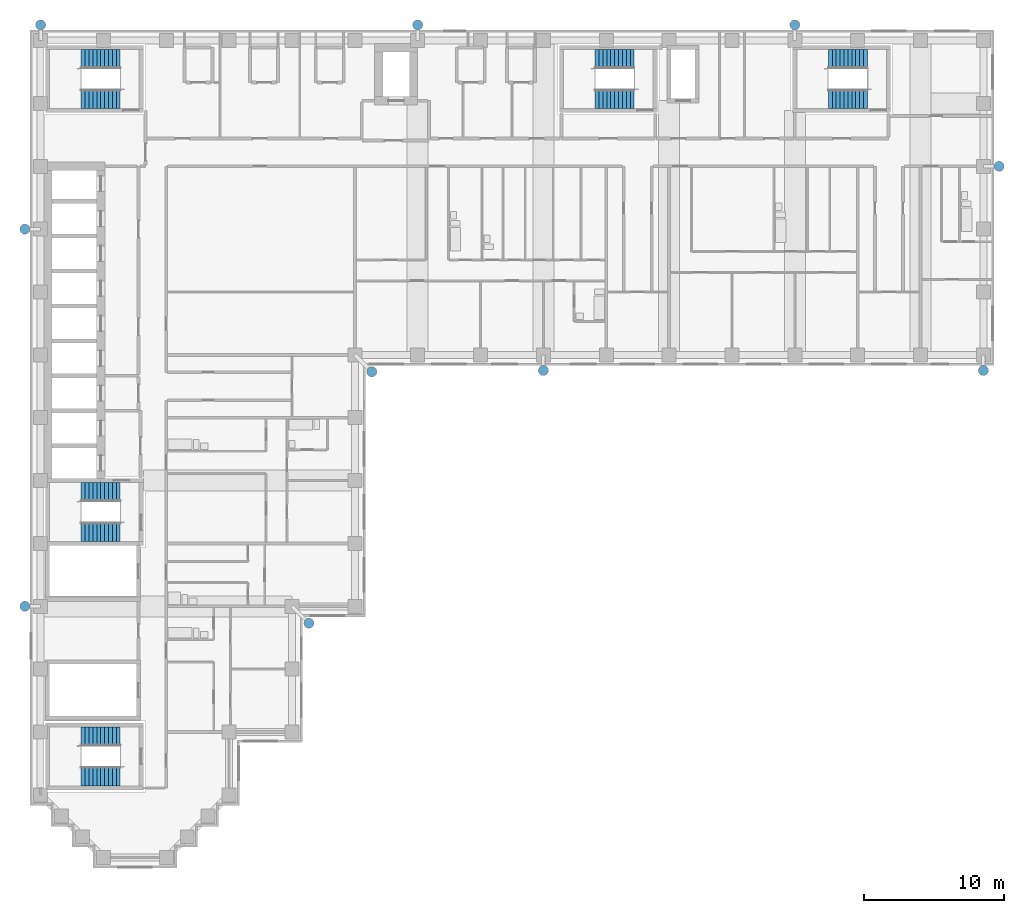
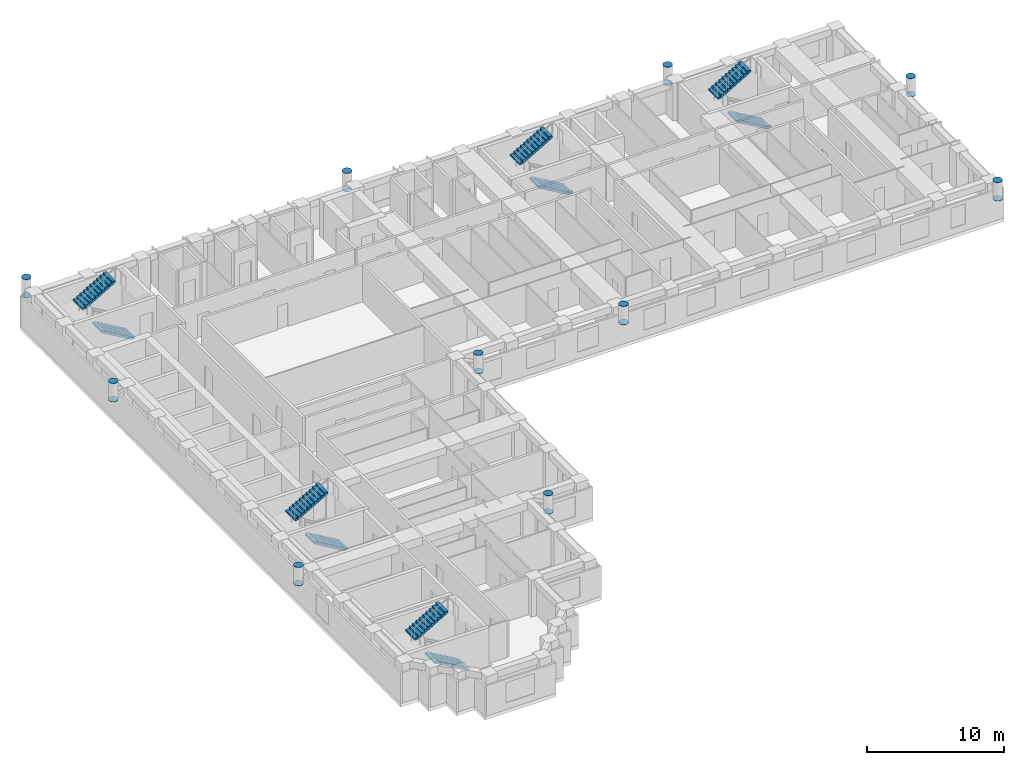
# One storey, part 12 of 14: 20 discrete accessories, 10 stair flights, 5 elements without a shape of their own.
"""IFC4 building model written with IfcOpenShell, lengths in metres."""

from ifc_helpers import new_model, si_unit, direction, frame, origin, origin_2d, place, context, subcontext, project, spatial, polyline, circle, outline, extrude, material, material_profile, profile_set, type_object, element, aggregate, save


model = new_model("IFC4")

# Units and contexts
model_context = context("Model", 3, precision=1e-05, world=origin(), true_north=direction((0.0, 1.0)))
body_context = subcontext(model_context, "Body", "Model", "MODEL_VIEW")
ifc_project = project(units=[si_unit("LENGTHUNIT", "METRE"), si_unit("AREAUNIT", "SQUARE_METRE"), si_unit("VOLUMEUNIT", "CUBIC_METRE"), si_unit("PLANEANGLEUNIT", "RADIAN"), si_unit("MASSUNIT", "GRAM", prefix="KILO")], contexts=[model_context])

# Site, building, storey
site_placement = place(None, origin())
site = spatial("IfcSite", under=ifc_project, at=site_placement, CompositionType="ELEMENT")
building_placement = place(site_placement, origin())
building = spatial("IfcBuilding", under=site, at=building_placement, Name="Firuza Court", CompositionType="ELEMENT")
storey_placement = place(building_placement, frame((0.0, 0.0, 159.199951171875)))
storey = spatial("IfcBuildingStorey", under=building, at=storey_placement, Name="L40", CompositionType="ELEMENT", Elevation=159.199951171875)

# Stair, stair flights
ifc_material_1 = material(Name="Concrete C40/50 precast", Category="concrete")
stair_type = type_object("IfcStairType", Name="Stair 1350 x 3600 2 flights", PredefinedType="HALF_TURN_STAIR", material=ifc_material_1)
stair_1_placement = place(storey_placement, origin())
stair_1 = element("IfcStair", 1, at=stair_1_placement, inside=storey, type_object=stair_type, Name="Stair 1 L40", PredefinedType="HALF_TURN_STAIR")
ifc_material_2 = material(Name="Concrete C40/50 precast", Category="concrete")
stair_flight_type = type_object("IfcStairFlightType", Name="Flight 1350 riser 163.6", PredefinedType="STRAIGHT", material=ifc_material_2)
stair_flight_1_placement = place(storey_placement, frame((42.5, 54.324951171875, 0.0), z_axis=(0.0, 0.0, 1.0), x_axis=(-1.0, 0.0, 0.0)))
stair_flight_1 = element("IfcStairFlight", 2, at=stair_flight_1_placement, type_object=stair_flight_type, Name="S1 flight 1", NumberOfRisers=11, NumberOfTreads=10, PredefinedType="STRAIGHT", RiserHeight=0.163636364, TreadLength=0.28, context=body_context, shape_type="SweptSolid", body=[
    extrude(outline(polyline([(0.0, 0.0), (0.0, 0.16357421875), (0.280029296875, 0.16357421875), (0.280029296875, 0.327392578125), (0.56005859375, 0.327392578125), (0.56005859375, 0.490966796875), (0.840087890625, 0.490966796875), (0.840087890625, 0.654541015625), (1.1201171875, 0.654541015625), (1.1201171875, 0.818115234375), (1.39990234375, 0.818115234375), (1.39990234375, 0.98193359375), (1.679931640625, 0.98193359375), (1.679931640625, 1.1455078125), (1.9599609375, 1.1455078125), (1.9599609375, 1.30908203125), (2.239990234375, 1.30908203125), (2.239990234375, 1.47265625), (2.52001953125, 1.47265625), (2.52001953125, 1.636474609375), (2.800048828125, 1.636474609375), (2.800048828125, 1.800048828125), (2.800048828125, 1.462646484375), (0.297119140625, 0.0), (0.0, 0.0)])), frame((0.0, 0.675048828125, 0.0), z_axis=(0.0, -1.0, 0.0), x_axis=(1.0, 0.0, 0.0)), (0.0, 0.0, 1.0), 1.35009765625),
])
stair_flight_2_placement = place(storey_placement, frame((39.699951171875, 57.175048828125, 1.800048828125), z_axis=(0.0, 0.0, 1.0), x_axis=(1.0, 0.0, 0.0)))
stair_flight_2 = element("IfcStairFlight", 3, at=stair_flight_2_placement, type_object=stair_flight_type, Name="S1 flight 2", NumberOfRisers=11, NumberOfTreads=10, PredefinedType="STRAIGHT", RiserHeight=0.163636364, TreadLength=0.28, context=body_context, shape_type="SweptSolid", body=[
    extrude(outline(polyline([(0.0, 0.0), (0.0, 0.16357421875), (0.280029296875, 0.16357421875), (0.280029296875, 0.327392578125), (0.56005859375, 0.327392578125), (0.56005859375, 0.490966796875), (0.840087890625, 0.490966796875), (0.840087890625, 0.654541015625), (1.1201171875, 0.654541015625), (1.1201171875, 0.818115234375), (1.39990234375, 0.818115234375), (1.39990234375, 0.98193359375), (1.679931640625, 0.98193359375), (1.679931640625, 1.1455078125), (1.9599609375, 1.1455078125), (1.9599609375, 1.30908203125), (2.239990234375, 1.30908203125), (2.239990234375, 1.47265625), (2.52001953125, 1.47265625), (2.52001953125, 1.636474609375), (2.800048828125, 1.636474609375), (2.800048828125, 1.800048828125), (2.800048828125, 1.462646484375), (0.297119140625, 0.0), (0.0, 0.0)])), frame((0.0, 0.675048828125, 0.0), z_axis=(0.0, -1.0, 0.0), x_axis=(1.0, 0.0, 0.0)), (0.0, 0.0, 1.0), 1.35009765625),
])
aggregate(stair_1, [stair_flight_1, stair_flight_2])

stair_2_placement = place(storey_placement, origin())
stair_2 = element("IfcStair", 4, at=stair_2_placement, inside=storey, type_object=stair_type, Name="Stair 2 L40", PredefinedType="HALF_TURN_STAIR")
stair_flight_3_placement = place(storey_placement, frame((5.699951171875, 23.324951171875, 0.0), z_axis=(0.0, 0.0, 1.0), x_axis=(-1.0, 0.0, 0.0)))
stair_flight_3 = element("IfcStairFlight", 5, at=stair_flight_3_placement, type_object=stair_flight_type, Name="S2 flight 1", NumberOfRisers=11, NumberOfTreads=10, PredefinedType="STRAIGHT", RiserHeight=0.163636364, TreadLength=0.28, context=body_context, shape_type="SweptSolid", body=[
    extrude(outline(polyline([(0.0, 0.0), (0.0, 0.16357421875), (0.280029296875, 0.16357421875), (0.280029296875, 0.327392578125), (0.56005859375, 0.327392578125), (0.56005859375, 0.490966796875), (0.840087890625, 0.490966796875), (0.840087890625, 0.654541015625), (1.1201171875, 0.654541015625), (1.1201171875, 0.818115234375), (1.39990234375, 0.818115234375), (1.39990234375, 0.98193359375), (1.679931640625, 0.98193359375), (1.679931640625, 1.1455078125), (1.9599609375, 1.1455078125), (1.9599609375, 1.30908203125), (2.239990234375, 1.30908203125), (2.239990234375, 1.47265625), (2.52001953125, 1.47265625), (2.52001953125, 1.636474609375), (2.800048828125, 1.636474609375), (2.800048828125, 1.800048828125), (2.800048828125, 1.462646484375), (0.297119140625, 0.0), (0.0, 0.0)])), frame((0.0, 0.675048828125, 0.0), z_axis=(0.0, -1.0, 0.0), x_axis=(1.0, 0.0, 0.0)), (0.0, 0.0, 1.0), 1.35009765625),
])
stair_flight_4_placement = place(storey_placement, frame((2.89990234375, 26.175048828125, 1.800048828125), z_axis=(0.0, 0.0, 1.0), x_axis=(1.0, 0.0, 0.0)))
stair_flight_4 = element("IfcStairFlight", 6, at=stair_flight_4_placement, type_object=stair_flight_type, Name="S2 flight 2", NumberOfRisers=11, NumberOfTreads=10, PredefinedType="STRAIGHT", RiserHeight=0.163636364, TreadLength=0.28, context=body_context, shape_type="SweptSolid", body=[
    extrude(outline(polyline([(0.0, 0.0), (0.0, 0.16357421875), (0.280029296875, 0.16357421875), (0.280029296875, 0.327392578125), (0.56005859375, 0.327392578125), (0.56005859375, 0.490966796875), (0.840087890625, 0.490966796875), (0.840087890625, 0.654541015625), (1.1201171875, 0.654541015625), (1.1201171875, 0.818115234375), (1.39990234375, 0.818115234375), (1.39990234375, 0.98193359375), (1.679931640625, 0.98193359375), (1.679931640625, 1.1455078125), (1.9599609375, 1.1455078125), (1.9599609375, 1.30908203125), (2.239990234375, 1.30908203125), (2.239990234375, 1.47265625), (2.52001953125, 1.47265625), (2.52001953125, 1.636474609375), (2.800048828125, 1.636474609375), (2.800048828125, 1.800048828125), (2.800048828125, 1.462646484375), (0.297119140625, 0.0), (0.0, 0.0)])), frame((0.0, 0.675048828125, 0.0), z_axis=(0.0, -1.0, 0.0), x_axis=(1.0, 0.0, 0.0)), (0.0, 0.0, 1.0), 1.35009765625),
])
aggregate(stair_2, [stair_flight_3, stair_flight_4])

stair_3_placement = place(storey_placement, origin())
stair_3 = element("IfcStair", 7, at=stair_3_placement, inside=storey, type_object=stair_type, Name="Stair 3 L40", PredefinedType="HALF_TURN_STAIR")
stair_flight_5_placement = place(storey_placement, frame((5.699951171875, 54.324951171875, 0.0), z_axis=(0.0, 0.0, 1.0), x_axis=(-1.0, 0.0, 0.0)))
stair_flight_5 = element("IfcStairFlight", 8, at=stair_flight_5_placement, type_object=stair_flight_type, Name="S3 flight 1", NumberOfRisers=11, NumberOfTreads=10, PredefinedType="STRAIGHT", RiserHeight=0.163636364, TreadLength=0.28, context=body_context, shape_type="SweptSolid", body=[
    extrude(outline(polyline([(0.0, 0.0), (0.0, 0.16357421875), (0.280029296875, 0.16357421875), (0.280029296875, 0.327392578125), (0.56005859375, 0.327392578125), (0.56005859375, 0.490966796875), (0.840087890625, 0.490966796875), (0.840087890625, 0.654541015625), (1.1201171875, 0.654541015625), (1.1201171875, 0.818115234375), (1.39990234375, 0.818115234375), (1.39990234375, 0.98193359375), (1.679931640625, 0.98193359375), (1.679931640625, 1.1455078125), (1.9599609375, 1.1455078125), (1.9599609375, 1.30908203125), (2.239990234375, 1.30908203125), (2.239990234375, 1.47265625), (2.52001953125, 1.47265625), (2.52001953125, 1.636474609375), (2.800048828125, 1.636474609375), (2.800048828125, 1.800048828125), (2.800048828125, 1.462646484375), (0.297119140625, 0.0), (0.0, 0.0)])), frame((0.0, 0.675048828125, 0.0), z_axis=(0.0, -1.0, 0.0), x_axis=(1.0, 0.0, 0.0)), (0.0, 0.0, 1.0), 1.35009765625),
])
stair_flight_6_placement = place(storey_placement, frame((2.89990234375, 57.175048828125, 1.800048828125), z_axis=(0.0, 0.0, 1.0), x_axis=(1.0, 0.0, 0.0)))
stair_flight_6 = element("IfcStairFlight", 9, at=stair_flight_6_placement, type_object=stair_flight_type, Name="S3 flight 2", NumberOfRisers=11, NumberOfTreads=10, PredefinedType="STRAIGHT", RiserHeight=0.163636364, TreadLength=0.28, context=body_context, shape_type="SweptSolid", body=[
    extrude(outline(polyline([(0.0, 0.0), (0.0, 0.16357421875), (0.280029296875, 0.16357421875), (0.280029296875, 0.327392578125), (0.56005859375, 0.327392578125), (0.56005859375, 0.490966796875), (0.840087890625, 0.490966796875), (0.840087890625, 0.654541015625), (1.1201171875, 0.654541015625), (1.1201171875, 0.818115234375), (1.39990234375, 0.818115234375), (1.39990234375, 0.98193359375), (1.679931640625, 0.98193359375), (1.679931640625, 1.1455078125), (1.9599609375, 1.1455078125), (1.9599609375, 1.30908203125), (2.239990234375, 1.30908203125), (2.239990234375, 1.47265625), (2.52001953125, 1.47265625), (2.52001953125, 1.636474609375), (2.800048828125, 1.636474609375), (2.800048828125, 1.800048828125), (2.800048828125, 1.462646484375), (0.297119140625, 0.0), (0.0, 0.0)])), frame((0.0, 0.675048828125, 0.0), z_axis=(0.0, -1.0, 0.0), x_axis=(1.0, 0.0, 0.0)), (0.0, 0.0, 1.0), 1.35009765625),
])
aggregate(stair_3, [stair_flight_5, stair_flight_6])

stair_4_placement = place(storey_placement, origin())
stair_4 = element("IfcStair", 10, at=stair_4_placement, inside=storey, type_object=stair_type, Name="Stair 4 L40", PredefinedType="HALF_TURN_STAIR")
stair_flight_7_placement = place(storey_placement, frame((59.199951171875, 54.324951171875, 0.0), z_axis=(0.0, 0.0, 1.0), x_axis=(-1.0, 0.0, 0.0)))
stair_flight_7 = element("IfcStairFlight", 11, at=stair_flight_7_placement, type_object=stair_flight_type, Name="S4 flight 1", NumberOfRisers=11, NumberOfTreads=10, PredefinedType="STRAIGHT", RiserHeight=0.163636364, TreadLength=0.28, context=body_context, shape_type="SweptSolid", body=[
    extrude(outline(polyline([(0.0, 0.0), (0.0, 0.16357421875), (0.280029296875, 0.16357421875), (0.280029296875, 0.327392578125), (0.56005859375, 0.327392578125), (0.56005859375, 0.490966796875), (0.840087890625, 0.490966796875), (0.840087890625, 0.654541015625), (1.1201171875, 0.654541015625), (1.1201171875, 0.818115234375), (1.39990234375, 0.818115234375), (1.39990234375, 0.98193359375), (1.679931640625, 0.98193359375), (1.679931640625, 1.1455078125), (1.9599609375, 1.1455078125), (1.9599609375, 1.30908203125), (2.239990234375, 1.30908203125), (2.239990234375, 1.47265625), (2.52001953125, 1.47265625), (2.52001953125, 1.636474609375), (2.800048828125, 1.636474609375), (2.800048828125, 1.800048828125), (2.800048828125, 1.462646484375), (0.297119140625, 0.0), (0.0, 0.0)])), frame((0.0, 0.675048828125, 0.0), z_axis=(0.0, -1.0, 0.0), x_axis=(1.0, 0.0, 0.0)), (0.0, 0.0, 1.0), 1.35009765625),
])
stair_flight_8_placement = place(storey_placement, frame((56.39990234375, 57.175048828125, 1.800048828125), z_axis=(0.0, 0.0, 1.0), x_axis=(1.0, 0.0, 0.0)))
stair_flight_8 = element("IfcStairFlight", 12, at=stair_flight_8_placement, type_object=stair_flight_type, Name="S4 flight 2", NumberOfRisers=11, NumberOfTreads=10, PredefinedType="STRAIGHT", RiserHeight=0.163636364, TreadLength=0.28, context=body_context, shape_type="SweptSolid", body=[
    extrude(outline(polyline([(0.0, 0.0), (0.0, 0.16357421875), (0.280029296875, 0.16357421875), (0.280029296875, 0.327392578125), (0.56005859375, 0.327392578125), (0.56005859375, 0.490966796875), (0.840087890625, 0.490966796875), (0.840087890625, 0.654541015625), (1.1201171875, 0.654541015625), (1.1201171875, 0.818115234375), (1.39990234375, 0.818115234375), (1.39990234375, 0.98193359375), (1.679931640625, 0.98193359375), (1.679931640625, 1.1455078125), (1.9599609375, 1.1455078125), (1.9599609375, 1.30908203125), (2.239990234375, 1.30908203125), (2.239990234375, 1.47265625), (2.52001953125, 1.47265625), (2.52001953125, 1.636474609375), (2.800048828125, 1.636474609375), (2.800048828125, 1.800048828125), (2.800048828125, 1.462646484375), (0.297119140625, 0.0), (0.0, 0.0)])), frame((0.0, 0.675048828125, 0.0), z_axis=(0.0, -1.0, 0.0), x_axis=(1.0, 0.0, 0.0)), (0.0, 0.0, 1.0), 1.35009765625),
])
aggregate(stair_4, [stair_flight_7, stair_flight_8])

stair_5_placement = place(storey_placement, origin())
stair_5 = element("IfcStair", 13, at=stair_5_placement, inside=storey, type_object=stair_type, Name="Stair 5 L40", PredefinedType="HALF_TURN_STAIR")
stair_flight_9_placement = place(storey_placement, frame((5.699951171875, 5.824951171875, 0.0), z_axis=(0.0, 0.0, 1.0), x_axis=(-1.0, 0.0, 0.0)))
stair_flight_9 = element("IfcStairFlight", 14, at=stair_flight_9_placement, type_object=stair_flight_type, Name="S5 flight 1", NumberOfRisers=11, NumberOfTreads=10, PredefinedType="STRAIGHT", RiserHeight=0.163636364, TreadLength=0.28, context=body_context, shape_type="SweptSolid", body=[
    extrude(outline(polyline([(0.0, 0.0), (0.0, 0.16357421875), (0.280029296875, 0.16357421875), (0.280029296875, 0.327392578125), (0.56005859375, 0.327392578125), (0.56005859375, 0.490966796875), (0.840087890625, 0.490966796875), (0.840087890625, 0.654541015625), (1.1201171875, 0.654541015625), (1.1201171875, 0.818115234375), (1.39990234375, 0.818115234375), (1.39990234375, 0.98193359375), (1.679931640625, 0.98193359375), (1.679931640625, 1.1455078125), (1.9599609375, 1.1455078125), (1.9599609375, 1.30908203125), (2.239990234375, 1.30908203125), (2.239990234375, 1.47265625), (2.52001953125, 1.47265625), (2.52001953125, 1.636474609375), (2.800048828125, 1.636474609375), (2.800048828125, 1.800048828125), (2.800048828125, 1.462646484375), (0.297119140625, 0.0), (0.0, 0.0)])), frame((0.0, 0.675048828125, 0.0), z_axis=(0.0, -1.0, 0.0), x_axis=(1.0, 0.0, 0.0)), (0.0, 0.0, 1.0), 1.35009765625),
])
stair_flight_10_placement = place(storey_placement, frame((2.89990234375, 8.675048828125, 1.800048828125), z_axis=(0.0, 0.0, 1.0), x_axis=(1.0, 0.0, 0.0)))
stair_flight_10 = element("IfcStairFlight", 15, at=stair_flight_10_placement, type_object=stair_flight_type, Name="S5 flight 2", NumberOfRisers=11, NumberOfTreads=10, PredefinedType="STRAIGHT", RiserHeight=0.163636364, TreadLength=0.28, context=body_context, shape_type="SweptSolid", body=[
    extrude(outline(polyline([(0.0, 0.0), (0.0, 0.16357421875), (0.280029296875, 0.16357421875), (0.280029296875, 0.327392578125), (0.56005859375, 0.327392578125), (0.56005859375, 0.490966796875), (0.840087890625, 0.490966796875), (0.840087890625, 0.654541015625), (1.1201171875, 0.654541015625), (1.1201171875, 0.818115234375), (1.39990234375, 0.818115234375), (1.39990234375, 0.98193359375), (1.679931640625, 0.98193359375), (1.679931640625, 1.1455078125), (1.9599609375, 1.1455078125), (1.9599609375, 1.30908203125), (2.239990234375, 1.30908203125), (2.239990234375, 1.47265625), (2.52001953125, 1.47265625), (2.52001953125, 1.636474609375), (2.800048828125, 1.636474609375), (2.800048828125, 1.800048828125), (2.800048828125, 1.462646484375), (0.297119140625, 0.0), (0.0, 0.0)])), frame((0.0, 0.675048828125, 0.0), z_axis=(0.0, -1.0, 0.0), x_axis=(1.0, 0.0, 0.0)), (0.0, 0.0, 1.0), 1.35009765625),
])
aggregate(stair_5, [stair_flight_9, stair_flight_10])

# Discrete accessories
ifc_material_3 = material(Name="Steel S355", Category="steel")
ifc_material_profile = material_profile(ifc_material_3, circle(Radius=0.35546875, at=origin_2d()), Name="PL D711")
ifc_profile_set = profile_set([ifc_material_profile], Name="Steel S355")
discrete_accessory_type = type_object("IfcDiscreteAccessoryType", Name="DIAGRID NODE END PLATE", PredefinedType="NOTDEFINED", material=ifc_profile_set)
for number, where, z_axis, x_axis, name in (
    (16, (-1.1201171875, 18.0, 3.85009765625), (0.0, 0.0, 1.0), (1.0, 0.0, 0.0), "Diagrid node end plate level L40"),
    (17, (-1.1201171875, 18.0, 2.219970703125), (0.0, 0.0, 1.0), (1.0, 0.0, 0.0), "Diagrid node end plate level L40"),
    (18, (-1.1201171875, 45.0, 3.85009765625), (0.0, 0.0, 1.0), (1.0, 0.0, 0.0), "Diagrid node end plate level L40"),
    (19, (-1.1201171875, 45.0, 2.219970703125), (0.0, 0.0, 1.0), (1.0, 0.0, 0.0), "Diagrid node end plate level L40"),
    (20, (0.0, 59.6201171875, 3.85009765625), (0.0, 0.0, 1.0), (1.0, 0.0, 0.0), "Diagrid node end plate level L40"),
    (21, (0.0, 59.6201171875, 2.219970703125), (0.0, 0.0, 1.0), (1.0, 0.0, 0.0), "Diagrid node end plate level L40"),
    (22, (19.2099609375, 16.7900390625, 3.85009765625), (0.0, 0.0, 1.0), (1.0, 0.0, 0.0), "Diagrid node end plate level L40"),
    (23, (19.2099609375, 16.7900390625, 2.219970703125), (0.0, 0.0, 1.0), (1.0, 0.0, 0.0), "Diagrid node end plate level L40"),
    (24, (23.7099609375, 34.7900390625, 3.85009765625), (0.0, 0.0, 1.0), (1.0, 0.0, 0.0), "Diagrid node end plate level L40"),
    (25, (23.7099609375, 34.7900390625, 2.219970703125), (0.0, 0.0, 1.0), (1.0, 0.0, 0.0), "Diagrid node end plate level L40"),
    (26, (27.0, 59.6201171875, 3.85009765625), (0.0, 0.0, 1.0), (1.0, 0.0, 0.0), "Diagrid node end plate level L40"),
    (27, (27.0, 59.6201171875, 2.219970703125), (0.0, 0.0, 1.0), (1.0, 0.0, 0.0), "Diagrid node end plate level L40"),
    (28, (36.0, 34.8798828125, 3.85009765625), (0.0, 0.0, 1.0), (1.0, 0.0, 0.0), "Diagrid node end plate level L40"),
    (29, (36.0, 34.8798828125, 2.219970703125), (0.0, 0.0, 1.0), (1.0, 0.0, 0.0), "Diagrid node end plate level L40"),
    (30, (54.0, 59.6201171875, 3.85009765625), (0.0, 0.0, 1.0), (1.0, 0.0, 0.0), "Diagrid node end plate level L40"),
    (31, (54.0, 59.6201171875, 2.219970703125), (0.0, 0.0, 1.0), (1.0, 0.0, 0.0), "Diagrid node end plate level L40"),
    (32, (67.5, 34.8798828125, 3.85009765625), (0.0, 0.0, 1.0), (1.0, 0.0, 0.0), "Diagrid node end plate level L40"),
    (33, (67.5, 34.8798828125, 2.219970703125), (0.0, 0.0, 1.0), (1.0, 0.0, 0.0), "Diagrid node end plate level L40"),
    (34, (68.6201171875, 49.5, 3.85009765625), (0.0, 0.0, 1.0), (1.0, 0.0, 0.0), "Diagrid node end plate level L40"),
    (35, (68.6201171875, 49.5, 2.219970703125), (0.0, 0.0, 1.0), (1.0, 0.0, 0.0), "Diagrid node end plate level L40"),
):
    element("IfcDiscreteAccessory", number, at=place(storey_placement, frame(where, z_axis=z_axis, x_axis=x_axis)), inside=storey, type_object=discrete_accessory_type, Name=name, PredefinedType="NOTDEFINED", context=body_context, shape_type="SweptSolid", body=[
        extrude(circle(Radius=0.35546875, at=origin_2d()), origin(), (0.0, 0.0, 1.0), 0.030029296875),
    ])

save(model, "model.ifc")
